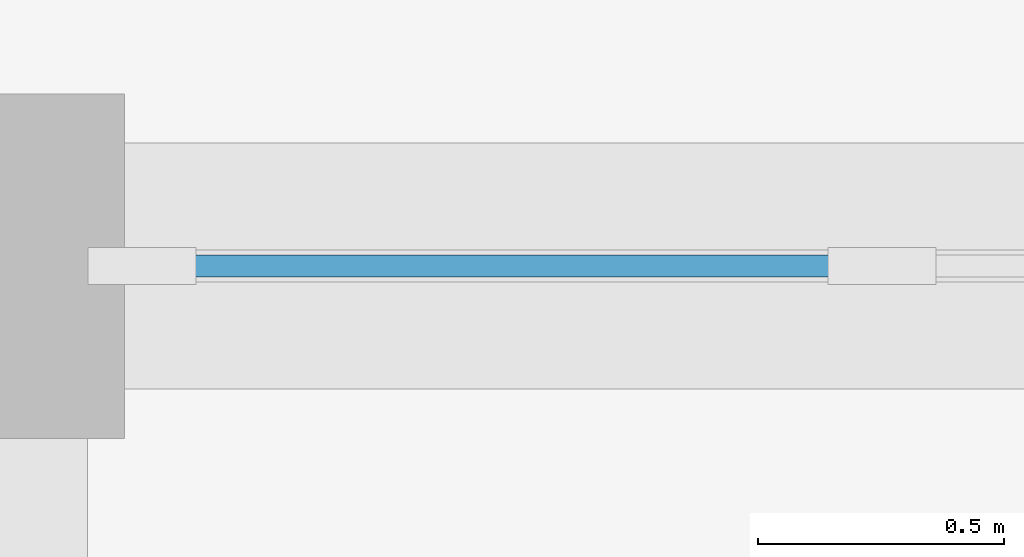
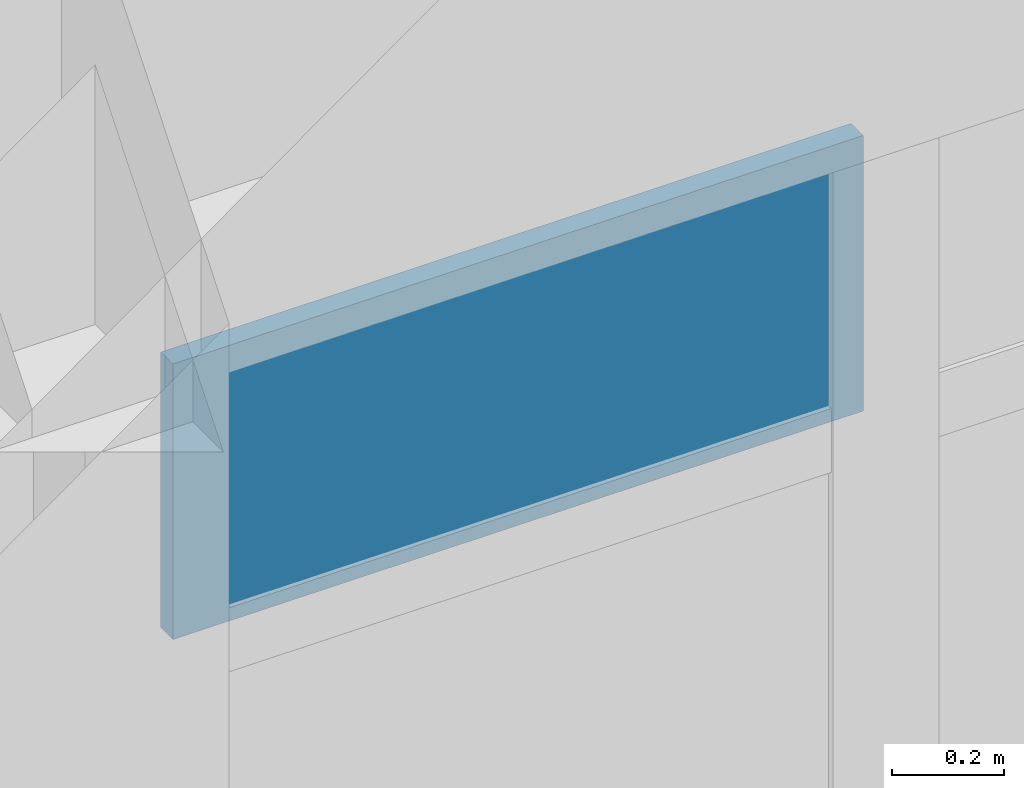
# One storey, part 54 of 167: 1 plate, 1 element without a shape of its own.
"""IFC4 building model written with IfcOpenShell, lengths in metres."""

from ifc_helpers import new_model, si_unit, direction, frame, origin, origin_2d, place, context, subcontext, project, spatial, rectangle, extrude, material, layer, layer_set, type_object, element, aggregate, save


model = new_model("IFC4")

# Units and contexts
model_context = context("Model", 3, precision=1e-05, world=origin(), true_north=direction((0.0, 1.0)))
body_context = subcontext(model_context, "Body", "Model", "MODEL_VIEW")
ifc_project = project(units=[si_unit("LENGTHUNIT", "METRE"), si_unit("AREAUNIT", "SQUARE_METRE"), si_unit("VOLUMEUNIT", "CUBIC_METRE"), si_unit("PLANEANGLEUNIT", "RADIAN"), si_unit("MASSUNIT", "GRAM", prefix="KILO")], contexts=[model_context])

# Site, building, storey
site_placement = place(None, origin())
site = spatial("IfcSite", under=ifc_project, at=site_placement, CompositionType="ELEMENT")
building_placement = place(site_placement, origin())
building = spatial("IfcBuilding", under=site, at=building_placement, Name="Varncliffe General Hospital", CompositionType="ELEMENT")
storey_placement = place(building_placement, origin())
storey = spatial("IfcBuildingStorey", under=building, at=storey_placement, Name="L00", CompositionType="ELEMENT", Elevation=0.0)

# Curtain wall, plate
ifc_material = material(Name="Triple low-E argon insulated vision glazing", Category="glass")
curtain_wall_type = type_object("IfcCurtainWallType", Name="Unitised Glazed Curtain Wall CW51 (7704x4640)", PredefinedType="USERDEFINED", material=ifc_material)
curtain_wall_placement = place(storey_placement, origin())
curtain_wall = element("IfcCurtainWall", 1, at=curtain_wall_placement, inside=storey, type_object=curtain_wall_type, Name="L00 Glazed Curtain Wall CW51-3", ObjectType="GLAZED CURTAIN WALL", PredefinedType="USERDEFINED")
ifc_layer = layer(ifc_material, 0.0439453125)
ifc_layer_set = layer_set([ifc_layer], Name="Triple low-E argon insulated vision glazing")
plate_type = type_object("IfcPlateType", Name="Curtain Wall Glazing Panel CP12 (44mm)", PredefinedType="CURTAIN_PANEL", material=ifc_layer_set)
plate_placement = place(storey_placement, frame((85.13720703125, 108.0, 3.972412109375), z_axis=(0.0, 0.0, 1.0), x_axis=(1.0, 0.0, 0.0)))
plate = element("IfcPlate", 2, at=plate_placement, type_object=plate_type, Name="CW51 panel 1.3", PredefinedType="CURTAIN_PANEL", context=body_context, shape_type="SweptSolid", body=[
    extrude(rectangle(XDim=1.42822265625, YDim=0.0439453125, at=origin_2d()), origin(), (0.0, 0.0, 1.0), 0.6025390625),
])
aggregate(curtain_wall, [plate])

save(model, "model.ifc")
